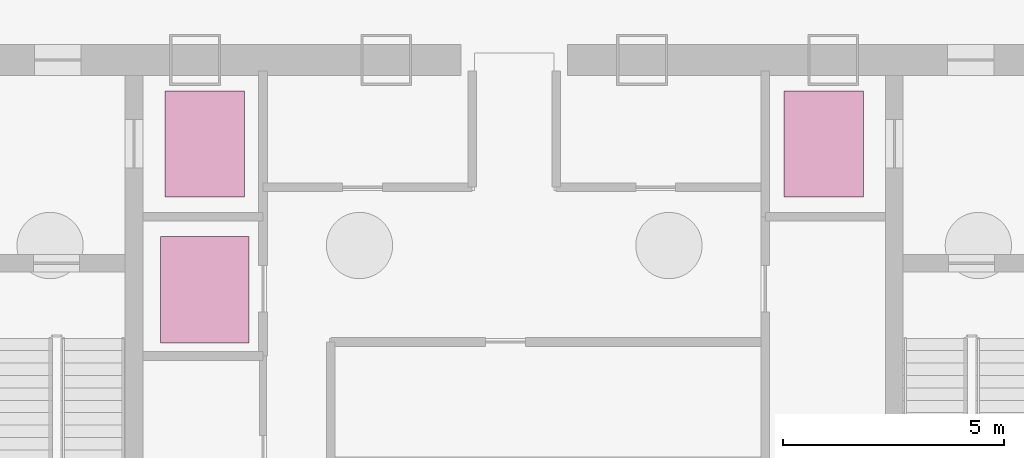
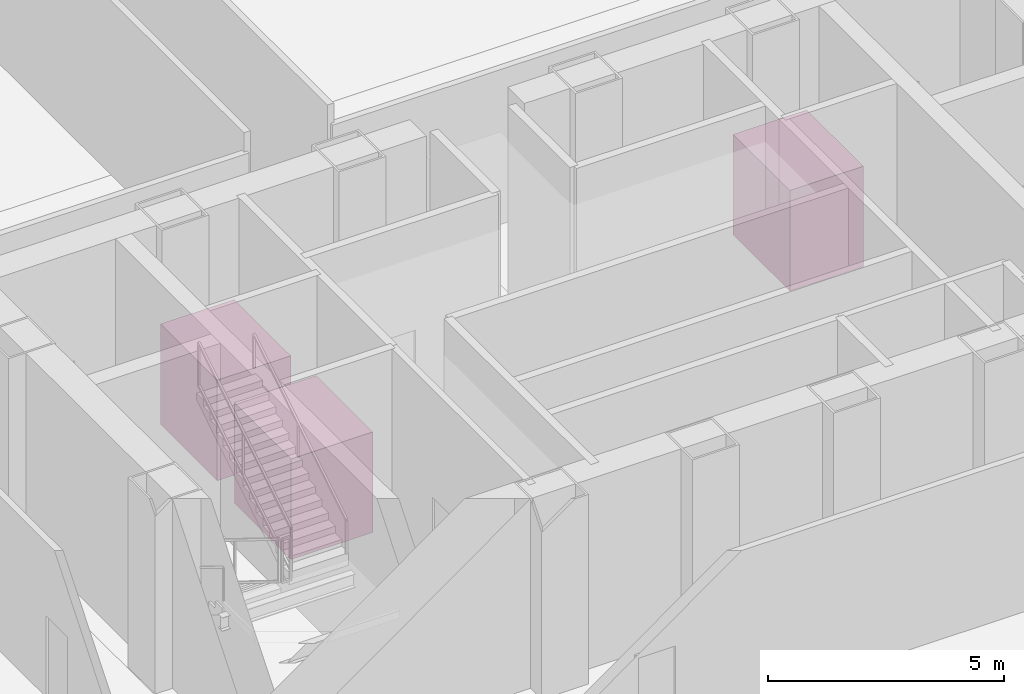
# One storey, part 15 of 15: 3 transport elements.
"""IFC4 building model written with IfcOpenShell, lengths in metres."""

from ifc_helpers import new_model, si_unit, direction, frame, origin, origin_2d, place, context, subcontext, project, spatial, rectangle, extrude, source, transform, mapped, material, type_object, element, save


model = new_model("IFC4")

# Units and contexts
model_context = context("Model", 3, precision=1e-05, world=origin(), true_north=direction((0.0, 1.0)))
body_context = subcontext(model_context, "Body", "Model", "MODEL_VIEW")
ifc_project = project(units=[si_unit("LENGTHUNIT", "METRE"), si_unit("AREAUNIT", "SQUARE_METRE"), si_unit("VOLUMEUNIT", "CUBIC_METRE"), si_unit("PLANEANGLEUNIT", "RADIAN"), si_unit("MASSUNIT", "GRAM", prefix="KILO"), si_unit("THERMODYNAMICTEMPERATUREUNIT", "KELVIN"), si_unit("POWERUNIT", "WATT")], contexts=[model_context])

# Site, building, storey
site_placement = place(None, origin())
site = spatial("IfcSite", under=ifc_project, at=site_placement, CompositionType="ELEMENT")
building_placement = place(site_placement, origin())
building = spatial("IfcBuilding", under=site, at=building_placement, Name="Yunzhuo Pagoda Commons", CompositionType="ELEMENT")
storey_placement = place(building_placement, frame((0.0, 0.0, -10.0)))
storey = spatial("IfcBuildingStorey", under=building, at=storey_placement, Name="B02", CompositionType="ELEMENT", Elevation=-10.0)

# Transport elements
ifc_material = material(Name="Brushed stainless cabin enclosure")
transport_element_type_1 = type_object("IfcTransportElementType", Name="ELV-FF1 Firefighting & Stretcher Lift Car 1800x2400", PredefinedType="ELEVATOR", material=ifc_material)
shared_shape_1 = source(origin(), body_context, "Body", "SweptSolid", [
    extrude(rectangle(XDim=1.800048828125, YDim=2.39990234375, at=origin_2d()), origin(), (0.0, 0.0, 1.0), 2.60009765625),
])
for number, where, z_axis, x_axis, name in (
    (1, (41.0, 38.300048828125, 0.0), (0.0, 0.0, 1.0), (1.0, 0.0, 0.0), "Firefighting Lift FL-1"),
    (2, (55.0, 38.300048828125, 0.0), (0.0, 0.0, 1.0), (1.0, 0.0, 0.0), "Firefighting Lift FL-2"),
):
    element("IfcTransportElement", number, at=place(storey_placement, frame(where, z_axis=z_axis, x_axis=x_axis)), inside=storey, type_object=transport_element_type_1, Name=name, PredefinedType="ELEVATOR", context=body_context, shape_type="MappedRepresentation", body=[
        mapped(shared_shape_1, transform((0.0, 0.0, 0.0), scale=1.0)),
    ])
transport_element_type_2 = type_object("IfcTransportElementType", Name="ELV-SRV1 Service & Goods Lift Car 2000x2400", PredefinedType="ELEVATOR", material=ifc_material)
shared_shape_2 = source(origin(), body_context, "Body", "SweptSolid", [
    extrude(rectangle(XDim=2.0, YDim=2.39990234375, at=origin_2d()), origin(), (0.0, 0.0, 1.0), 2.60009765625),
])
transport_element_placement = place(storey_placement, frame((41.0, 35.0, 0.0), z_axis=(0.0, 0.0, 1.0), x_axis=(1.0, 0.0, 0.0)))
element("IfcTransportElement", 3, at=transport_element_placement, inside=storey, type_object=transport_element_type_2, Name="Service Lift SL-1", PredefinedType="ELEVATOR", context=body_context, shape_type="MappedRepresentation", body=[
    mapped(shared_shape_2, transform((0.0, 0.0, 0.0), scale=1.0)),
])

save(model, "model.ifc")
